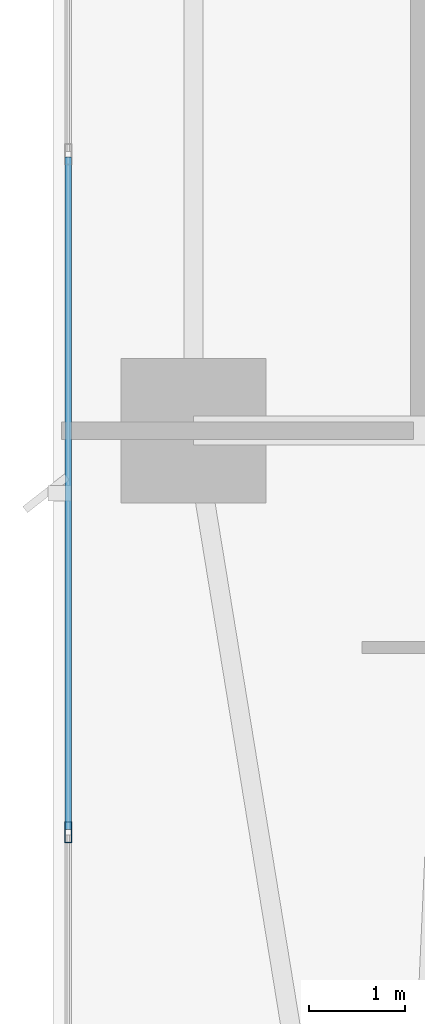
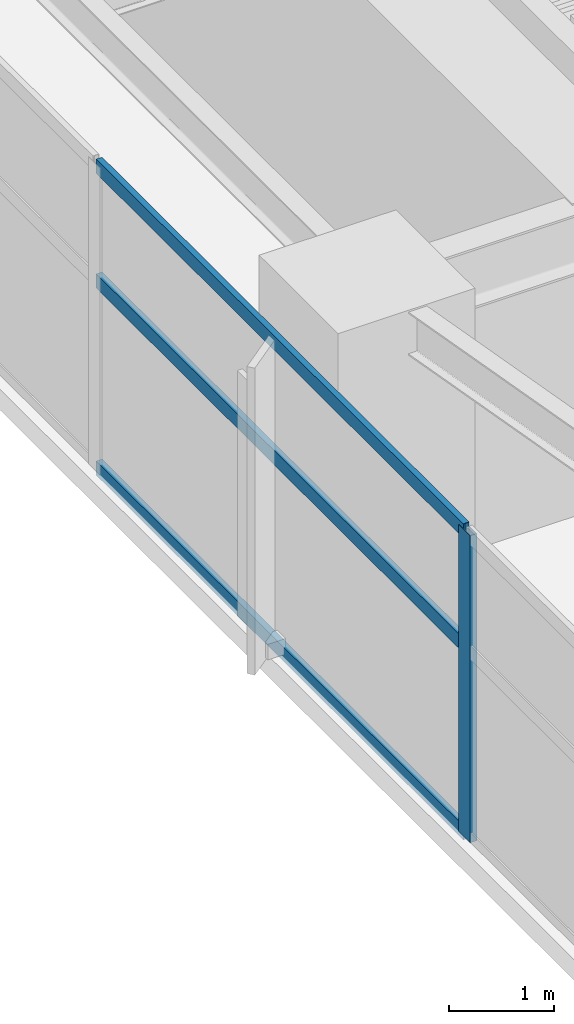
# One storey, part 4 of 30: 4 members, 1 element without a shape of its own.
"""IFC4 building model written with IfcOpenShell, lengths in metres."""

import ifcopenshell
import ifcopenshell.guid

model = None  # the IFC model being written
_history = None  # IfcOwnerHistory: only IFC2X3 demands one
_inside = {}  # id of a spatial element -> (the spatial element, [elements in it])
_under = {}  # id of a project, library or spatial element -> (it, [spatial elements below it])
_declared = {}  # id of a project -> (the project, [libraries it declares])
_typed = {}  # id of a type object -> (the type object, [elements of that type])
_made_of = {}  # id of a material, layer set ... -> (it, [elements and type objects made of it])


def new_model(schema):
    """Start an empty IFC model of exactly this schema.

    Asked for "IFC4X3", IfcOpenShell would pick the latest addendum, in which some entities
    have other attributes; the version numbers below select the first issue.
    IFC2X3 requires an IfcOwnerHistory on every rooted entity: one is made here for all.
    """
    global model, _history
    if schema == "IFC4X3":
        model = ifcopenshell.file(schema_version=(4, 3, 0, 0))
    else:
        model = ifcopenshell.file(schema=schema)
    _inside.clear()
    _under.clear()
    _declared.clear()
    _typed.clear()
    _made_of.clear()
    _history = None
    if model.schema == "IFC2X3":
        org = make("IfcOrganization", Name="unknown")
        user = make(
            "IfcPersonAndOrganization",
            ThePerson=make("IfcPerson", FamilyName="unknown"),
            TheOrganization=org,
        )
        app = make(
            "IfcApplication",
            ApplicationDeveloper=org,
            Version="unknown",
            ApplicationFullName="unknown",
            ApplicationIdentifier="unknown",
        )
        _history = make(
            "IfcOwnerHistory",
            OwningUser=user,
            OwningApplication=app,
            ChangeAction="ADDED",
            CreationDate=0,
        )
    return model


def make(cls, **values):
    """One entity of the class cls with the attributes given. An attribute that is None is left unset."""
    return model.create_entity(
        cls, **{name: value for name, value in values.items() if value is not None}
    )


def rooted(cls, **values):
    """An entity with a GlobalId (a new one), such as an element, a storey or a relation."""
    return make(cls, GlobalId=ifcopenshell.guid.new(), OwnerHistory=_history, **values)


def si_unit(unit_type, name, prefix=None):
    """IfcSIUnit, for example si_unit("LENGTHUNIT", "METRE", prefix="MILLI")."""
    return make("IfcSIUnit", UnitType=unit_type, Prefix=prefix, Name=name)


def assignment(units):
    """IfcUnitAssignment: the units of a project."""
    return None if units is None else make("IfcUnitAssignment", Units=units)


def point(xyz):
    """IfcCartesianPoint."""
    return None if xyz is None else make("IfcCartesianPoint", Coordinates=xyz)


def direction(xyz):
    """IfcDirection."""
    return None if xyz is None else make("IfcDirection", DirectionRatios=xyz)


def frame(location, z_axis=None, x_axis=None):
    """IfcAxis2Placement3D, a coordinate frame: its origin and axes. An axis left out is left unset."""
    return make(
        "IfcAxis2Placement3D",
        Location=point(location),
        Axis=direction(z_axis),
        RefDirection=direction(x_axis),
    )


def frame_2d(location, x_axis=None):
    """IfcAxis2Placement2D, a coordinate frame in the plane: its origin and x axis."""
    return make(
        "IfcAxis2Placement2D", Location=point(location), RefDirection=direction(x_axis)
    )


def origin():
    """The frame at (0, 0, 0) with its axes left unset."""
    return frame((0.0, 0.0, 0.0))


def origin_2d():
    """The frame at (0, 0) in the plane with its x axis left unset."""
    return frame_2d((0.0, 0.0))


def place(relative_to, where):
    """IfcLocalPlacement: puts the frame where relative to a parent placement (None: the world)."""
    return make(
        "IfcLocalPlacement", PlacementRelTo=relative_to, RelativePlacement=where
    )


def context(
    kind, dimensions, precision=None, world=None, true_north=None, identifier=None
):
    """IfcGeometricRepresentationContext, for example the 3D "Model" context."""
    return make(
        "IfcGeometricRepresentationContext",
        ContextIdentifier=identifier,
        ContextType=kind,
        CoordinateSpaceDimension=dimensions,
        Precision=precision,
        WorldCoordinateSystem=world,
        TrueNorth=true_north,
    )


def subcontext(parent, identifier, kind, view, scale=None):
    """IfcGeometricRepresentationSubContext, for example "Body" below "Model"."""
    return make(
        "IfcGeometricRepresentationSubContext",
        ContextIdentifier=identifier,
        ContextType=kind,
        ParentContext=parent,
        TargetScale=scale,
        TargetView=view,
    )


def project(units=None, contexts=None):
    """IfcProject with its units and contexts."""
    return rooted(
        "IfcProject",
        Name="project",
        RepresentationContexts=contexts,
        UnitsInContext=assignment(units),
    )


def spatial(cls, under=None, at=None, **own):
    """A site, building, storey or space (cls), placed at a placement, below another one or the project."""
    s = rooted(cls, ObjectPlacement=at, **own)
    if under is not None:
        _under.setdefault(under.id(), (under, []))[1].append(s)
    return s


def profile(cls, at=None, kind="AREA", **sizes):
    """A parametric profile (cls). Its sizes go by their IFC names, for example OverallWidth=200.0."""
    return make(cls, ProfileType=kind, Position=at, **sizes)


def hollow_rectangle(**sizes):
    """IfcRectangleHollowProfileDef."""
    return profile("IfcRectangleHollowProfileDef", **sizes)


def extrude(swept, where, along, depth):
    """IfcExtrudedAreaSolid: the profile swept, set in the frame where, extruded along a direction by depth."""
    return make(
        "IfcExtrudedAreaSolid",
        SweptArea=swept,
        Position=where,
        ExtrudedDirection=direction(along),
        Depth=depth,
    )


def shape(context_of_items, identifier, shape_type, items):
    """IfcShapeRepresentation: the items that make up one representation, for example the "Body"."""
    return make(
        "IfcShapeRepresentation",
        ContextOfItems=context_of_items,
        RepresentationIdentifier=identifier,
        RepresentationType=shape_type,
        Items=items,
    )


def material(Name=None, Category=None):
    """IfcMaterial."""
    return make("IfcMaterial", Name=Name, Category=Category)


def layer(
    of_material, thickness, ventilated=None, Name=None, Category=None, Priority=None
):
    """IfcMaterialLayer: one layer of a wall or slab, of a material (None: an air gap)."""
    return make(
        "IfcMaterialLayer",
        Material=of_material,
        LayerThickness=thickness,
        IsVentilated=ventilated,
        Name=Name,
        Category=Category,
        Priority=Priority,
    )


def layer_set(layers, Name=None):
    """IfcMaterialLayerSet."""
    return make("IfcMaterialLayerSet", MaterialLayers=layers, LayerSetName=Name)


def material_profile(
    of_material, cross_section, Name=None, Category=None, Priority=None
):
    """IfcMaterialProfile: a cross section and its material."""
    return make(
        "IfcMaterialProfile",
        Name=Name,
        Material=of_material,
        Profile=cross_section,
        Priority=Priority,
        Category=Category,
    )


def profile_set(profiles, Name=None, composite=None):
    """IfcMaterialProfileSet."""
    return make(
        "IfcMaterialProfileSet",
        Name=Name,
        MaterialProfiles=profiles,
        CompositeProfile=composite,
    )


def made_of(thing, what):
    """Note that an element or type object is made of a material, layer set ...; save() writes the relation."""
    if what is not None:
        _made_of.setdefault(what.id(), (what, []))[1].append(thing)
    return thing


def type_object(cls, material=None, **own):
    """A type object (cls), such as IfcWallType, which elements share."""
    return made_of(rooted(cls, **own), material)


def element(
    cls,
    number,
    at=None,
    inside=None,
    cuts=None,
    type_object=None,
    material=None,
    context=None,
    identifier="Body",
    shape_type=None,
    held_by="IfcProductDefinitionShape",
    body=None,
    shapes=None,
    **own,
):
    """One element of the class cls, such as IfcWall. Its Tag is "e" and its number.

    at: its placement. inside: the storey or other place that contains it. cuts: it is an
    opening in that element (IfcRelVoidsElement). A single representation is given by context,
    identifier, shape_type and body (its items); several are given by shapes. held_by: the class
    of the entity that holds the representations. save() writes the other relations.
    """
    e = rooted(cls, Tag="e%d" % number, ObjectPlacement=at, **own)
    if body is not None:
        shapes = [shape(context, identifier, shape_type, body)]
    if shapes is not None:
        e.Representation = make(held_by, Representations=shapes)
    if inside is not None:
        _inside.setdefault(inside.id(), (inside, []))[1].append(e)
    if cuts is not None:
        rooted(
            "IfcRelVoidsElement", RelatingBuildingElement=cuts, RelatedOpeningElement=e
        )
    if type_object is not None:
        _typed.setdefault(type_object.id(), (type_object, []))[1].append(e)
    return made_of(e, material)


def aggregate(whole, parts):
    """IfcRelAggregates: a whole, such as a stair, and the parts it consists of."""
    return rooted("IfcRelAggregates", RelatingObject=whole, RelatedObjects=parts)


def save(model, path):
    """Write the relations noted so far, then the file.

    IfcRelAggregates (storeys below a building ...), IfcRelContainedInSpatialStructure (elements
    in a storey), IfcRelDefinesByType, IfcRelAssociatesMaterial and IfcRelDeclares: one each for
    every whole, place, type object, material and project.
    """
    for whole, parts in _under.values():
        aggregate(whole, parts)
    for where, things in _inside.values():
        rooted(
            "IfcRelContainedInSpatialStructure",
            RelatedElements=things,
            RelatingStructure=where,
        )
    for kind, things in _typed.values():
        rooted("IfcRelDefinesByType", RelatedObjects=things, RelatingType=kind)
    for what, things in _made_of.values():
        rooted("IfcRelAssociatesMaterial", RelatedObjects=things, RelatingMaterial=what)
    for by, libraries in _declared.values():
        rooted("IfcRelDeclares", RelatingContext=by, RelatedDefinitions=libraries)
    model.write(path)


model = new_model("IFC4")

# Units and contexts
model_context = context("Model", 3, precision=1e-05, world=origin(), true_north=direction((0.0, 1.0)))
body_context = subcontext(model_context, "Body", "Model", "MODEL_VIEW")
ifc_project = project(units=[si_unit("LENGTHUNIT", "METRE"), si_unit("AREAUNIT", "SQUARE_METRE"), si_unit("VOLUMEUNIT", "CUBIC_METRE"), si_unit("PLANEANGLEUNIT", "RADIAN"), si_unit("MASSUNIT", "GRAM", prefix="KILO")], contexts=[model_context])

# Site, building, storey
site_placement = place(None, origin())
site = spatial("IfcSite", under=ifc_project, at=site_placement, CompositionType="ELEMENT")
building_placement = place(site_placement, origin())
building = spatial("IfcBuilding", under=site, at=building_placement, Name="Calvorn Quay Hotel", CompositionType="ELEMENT")
storey_placement = place(building_placement, frame((0.0, 0.0, 54.60009765625)))
storey = spatial("IfcBuildingStorey", under=building, at=storey_placement, Name="L12", CompositionType="ELEMENT", Elevation=54.60009765625)

# Curtain wall, members
ifc_material_1 = material(Name="Pale Anodised Aluminium and Low-E Glass", Category="aluminium")
ifc_layer = layer(ifc_material_1, 0.219970703125)
ifc_layer_set = layer_set([ifc_layer], Name="CW-SYS-Z1")
curtain_wall_type = type_object("IfcCurtainWallType", Name="CW-SYS-Z1", PredefinedType="NOTDEFINED", material=ifc_layer_set)
curtain_wall_placement = place(storey_placement, origin())
curtain_wall = element("IfcCurtainWall", 1, at=curtain_wall_placement, inside=storey, type_object=curtain_wall_type, Name="Tower West Curtain Wall (L12)", PredefinedType="NOTDEFINED")
ifc_material_2 = material(Name="Pale Anodised Aluminium 6063-T6", Category="aluminium")
ifc_material_profile_1 = material_profile(ifc_material_2, hollow_rectangle(XDim=0.074951171875, YDim=0.219970703125, WallThickness=0.00439453125, at=origin_2d()), Name="ALU-M220x75x4.5")
ifc_profile_set_1 = profile_set([ifc_material_profile_1], Name="Pale Anodised Aluminium 6063-T6")
member_type_1 = type_object("IfcMemberType", Name="CW-SYS-Z1-MUL", PredefinedType="MULLION", material=ifc_profile_set_1)
member_1_placement = place(storey_placement, frame((0.14990234375, 12.63330078125, 0.0), z_axis=(0.0, 0.0, 1.0), x_axis=(-1.0, 0.0, 0.0)))
member_1 = element("IfcMember", 2, at=member_1_placement, type_object=member_type_1, Name="CW-L12-W mullion 2", PredefinedType="MULLION", context=body_context, shape_type="SweptSolid", body=[
    extrude(hollow_rectangle(XDim=0.074951171875, YDim=0.219970703125, WallThickness=0.00439453125, at=origin_2d()), origin(), (0.0, 0.0, 1.0), 3.559814453125),
])
ifc_material_3 = material(Name="Pale Anodised Aluminium 6063-T6", Category="aluminium")
ifc_material_profile_2 = material_profile(ifc_material_3, hollow_rectangle(XDim=0.06494140625, YDim=0.1650390625, WallThickness=0.00341796875, at=origin_2d()), Name="ALU-T165x65x3.5")
ifc_profile_set_2 = profile_set([ifc_material_profile_2], Name="Pale Anodised Aluminium 6063-T6")
member_type_2 = type_object("IfcMemberType", Name="CW-SYS-Z1-TRN", PredefinedType="USERDEFINED", material=ifc_profile_set_2)
member_2_placement = place(storey_placement, frame((0.14990234375, 12.663330078125, 0.02978515625), z_axis=(0.0, 1.0, 0.0), x_axis=(-1.0, 0.0, 0.0)))
member_2 = element("IfcMember", 3, at=member_2_placement, type_object=member_type_2, Name="CW-L12-W transom 2.1", ObjectType="TRANSOM", PredefinedType="USERDEFINED", context=body_context, shape_type="SweptSolid", body=[
    extrude(hollow_rectangle(XDim=0.06494140625, YDim=0.1650390625, WallThickness=0.00341796875, at=origin_2d()), origin(), (0.0, 0.0, 1.0), 6.973388671875),
])
member_3_placement = place(storey_placement, frame((0.14990234375, 12.663330078125, 2.199951171875), z_axis=(0.0, 1.0, 0.0), x_axis=(-1.0, 0.0, 0.0)))
member_3 = element("IfcMember", 4, at=member_3_placement, type_object=member_type_2, Name="CW-L12-W transom 2.2", ObjectType="TRANSOM", PredefinedType="USERDEFINED", context=body_context, shape_type="SweptSolid", body=[
    extrude(hollow_rectangle(XDim=0.06494140625, YDim=0.1650390625, WallThickness=0.00341796875, at=origin_2d()), origin(), (0.0, 0.0, 1.0), 6.973388671875),
])
member_4_placement = place(storey_placement, frame((0.14990234375, 12.663330078125, 3.52978515625), z_axis=(0.0, 1.0, 0.0), x_axis=(-1.0, 0.0, 0.0)))
member_4 = element("IfcMember", 5, at=member_4_placement, type_object=member_type_2, Name="CW-L12-W transom 2.3", ObjectType="TRANSOM", PredefinedType="USERDEFINED", context=body_context, shape_type="SweptSolid", body=[
    extrude(hollow_rectangle(XDim=0.06494140625, YDim=0.1650390625, WallThickness=0.00341796875, at=origin_2d()), origin(), (0.0, 0.0, 1.0), 6.973388671875),
])
aggregate(curtain_wall, [member_1, member_2, member_3, member_4])

save(model, "model.ifc")
